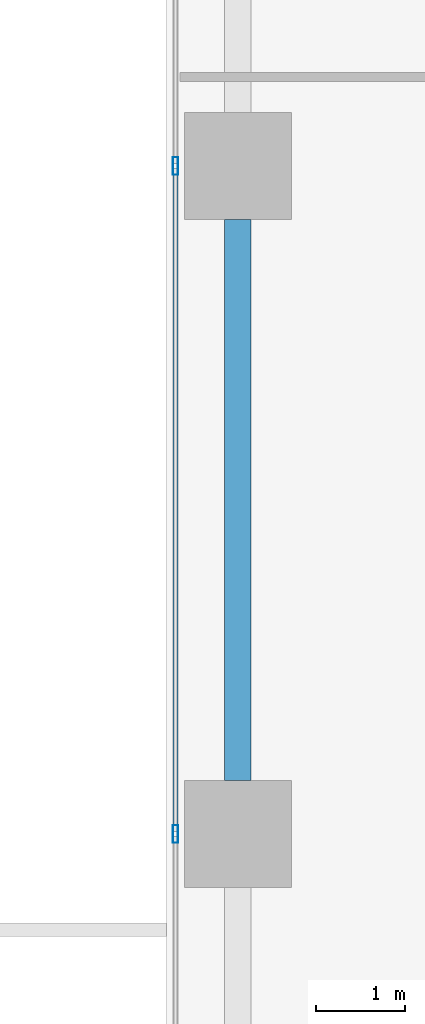
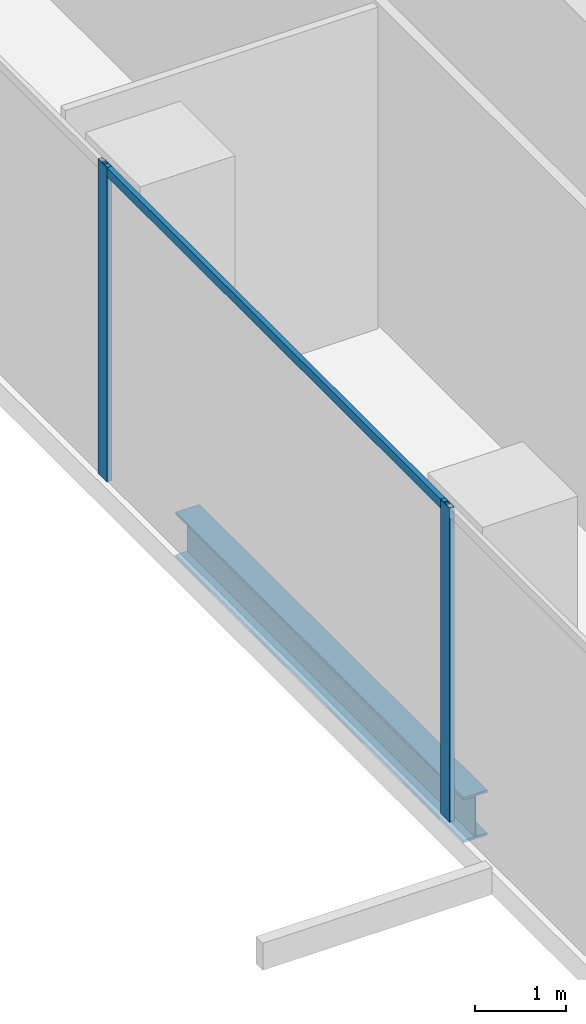
# One storey, part 5 of 33: 3 members, 1 beam, 1 element without a shape of its own.
"""IFC4 building model written with IfcOpenShell, lengths in metres."""

from ifc_helpers import new_model, si_unit, direction, frame, origin, origin_2d, place, context, subcontext, project, spatial, hollow_rectangle, i_section, extrude, source, transform, mapped, material, material_profile, profile_set, type_object, element, aggregate, save


model = new_model("IFC4")

# Units and contexts
model_context = context("Model", 3, precision=1e-05, world=origin(), true_north=direction((0.0, 1.0)))
body_context = subcontext(model_context, "Body", "Model", "MODEL_VIEW")
ifc_project = project(units=[si_unit("LENGTHUNIT", "METRE"), si_unit("AREAUNIT", "SQUARE_METRE"), si_unit("VOLUMEUNIT", "CUBIC_METRE"), si_unit("PLANEANGLEUNIT", "RADIAN"), si_unit("MASSUNIT", "GRAM", prefix="KILO")], contexts=[model_context])

# Site, building, storey
site_placement = place(None, origin())
site = spatial("IfcSite", under=ifc_project, at=site_placement, CompositionType="ELEMENT")
building_placement = place(site_placement, origin())
building = spatial("IfcBuilding", under=site, at=building_placement, Name="Khomas Fold Tower", CompositionType="ELEMENT")
storey_placement = place(building_placement, frame((0.0, 0.0, 78.0)))
storey = spatial("IfcBuildingStorey", under=building, at=storey_placement, Name="L16", CompositionType="ELEMENT", Elevation=78.0)

# Beam
ifc_material_1 = material(Name="Steel S355", Category="steel")
ifc_material_profile_1 = material_profile(ifc_material_1, i_section(OverallWidth=0.300048828125, OverallDepth=0.60009765625, WebThickness=0.015380859375, FlangeThickness=0.030029296875, at=origin_2d()), Name="HE 600 B")
ifc_profile_set_1 = profile_set([ifc_material_profile_1], Name="Steel S355")
beam_type = type_object("IfcBeamType", Name="HE 600 B spandrel SB1", PredefinedType="SPANDREL", material=ifc_profile_set_1)
shared_shape_1 = source(origin(), body_context, "Body", "SweptSolid", [
    extrude(i_section(OverallWidth=0.300048828125, OverallDepth=0.60009765625, WebThickness=0.015380859375, FlangeThickness=0.030029296875, at=origin_2d()), origin(), (0.0, 0.0, 1.0), 6.2998046875),
])
beam_placement = place(storey_placement, frame((0.800048828125, 20.10009765625, -0.60009765625), z_axis=(0.0, 1.0, 0.0), x_axis=(-1.0, 0.0, 0.0)))
element("IfcBeam", 1, at=beam_placement, inside=storey, type_object=beam_type, Name="SB1", PredefinedType="SPANDREL", context=body_context, shape_type="MappedRepresentation", body=[
    mapped(shared_shape_1, transform((0.0, 0.0, 0.0))),
])

# Curtain wall, members
ifc_material_2 = material(Name="Aluminium framed double glazing", Category="aluminium")
curtain_wall_type = type_object("IfcCurtainWallType", Name="SK-Unitised clear-glass wall, growing floors CW1", PredefinedType="NOTDEFINED", material=ifc_material_2)
curtain_wall_placement = place(storey_placement, origin())
curtain_wall = element("IfcCurtainWall", 2, at=curtain_wall_placement, inside=storey, type_object=curtain_wall_type, Name="CW1 run L16 09-0", PredefinedType="NOTDEFINED")
ifc_material_3 = material(Name="Aluminium", Category="aluminium")
ifc_material_profile_2 = material_profile(ifc_material_3, hollow_rectangle(XDim=0.06005859375, YDim=0.1201171875, WallThickness=0.00390625, at=origin_2d()), Name="SK-Unitised clear-glass wall, growing floors transom CW1-T")
ifc_profile_set_2 = profile_set([ifc_material_profile_2], Name="Aluminium")
member_type_1 = type_object("IfcMemberType", Name="SK-Unitised clear-glass wall, growing floors transom CW1-T", PredefinedType="USERDEFINED", material=ifc_profile_set_2)
shared_shape_2 = source(origin(), body_context, "Body", "SweptSolid", [
    extrude(hollow_rectangle(XDim=0.06005859375, YDim=0.1201171875, WallThickness=0.00390625, at=origin_2d()), origin(), (0.0, 0.0, 1.0), 7.43994140625),
])
member_1_placement = place(storey_placement, frame((0.10009765625, 26.969970703125, 4.139892578125), z_axis=(0.0, -1.0, 0.0), x_axis=(1.0, 0.0, 0.0)))
member_1 = element("IfcMember", 3, at=member_1_placement, type_object=member_type_1, Name="CW1 transom 5", ObjectType="TRANSOM", PredefinedType="USERDEFINED", context=body_context, shape_type="MappedRepresentation", body=[
    mapped(shared_shape_2, transform((0.0, 0.0, 0.0))),
])
ifc_material_4 = material(Name="Aluminium", Category="aluminium")
ifc_material_profile_3 = material_profile(ifc_material_4, hollow_rectangle(XDim=0.06005859375, YDim=0.199951171875, WallThickness=0.00390625, at=origin_2d()), Name="SK-Unitised clear-glass wall, growing floors mullion CW1-M")
ifc_profile_set_3 = profile_set([ifc_material_profile_3], Name="Aluminium")
member_type_2 = type_object("IfcMemberType", Name="SK-Unitised clear-glass wall, growing floors mullion CW1-M", PredefinedType="MULLION", material=ifc_profile_set_3)
shared_shape_3 = source(origin(), body_context, "Body", "SweptSolid", [
    extrude(hollow_rectangle(XDim=0.06005859375, YDim=0.199951171875, WallThickness=0.00390625, at=origin_2d()), origin(), (0.0, 0.0, 1.0), 4.199951171875),
])
member_2_placement = place(storey_placement, frame((0.10009765625, 27.0, 0.0), z_axis=(0.0, 0.0, 1.0), x_axis=(1.0, 0.0, 0.0)))
member_2 = element("IfcMember", 4, at=member_2_placement, type_object=member_type_2, Name="CW1 mullion 5", PredefinedType="MULLION", context=body_context, shape_type="MappedRepresentation", body=[
    mapped(shared_shape_3, transform((0.0, 0.0, 0.0))),
])
member_3_placement = place(storey_placement, frame((0.10009765625, 19.5, 0.0), z_axis=(0.0, 0.0, 1.0), x_axis=(1.0, 0.0, 0.0)))
member_3 = element("IfcMember", 5, at=member_3_placement, type_object=member_type_2, Name="CW1 mullion 6", PredefinedType="MULLION", context=body_context, shape_type="MappedRepresentation", body=[
    mapped(shared_shape_3, transform((0.0, 0.0, 0.0))),
])
aggregate(curtain_wall, [member_2, member_3, member_1])

save(model, "model.ifc")
